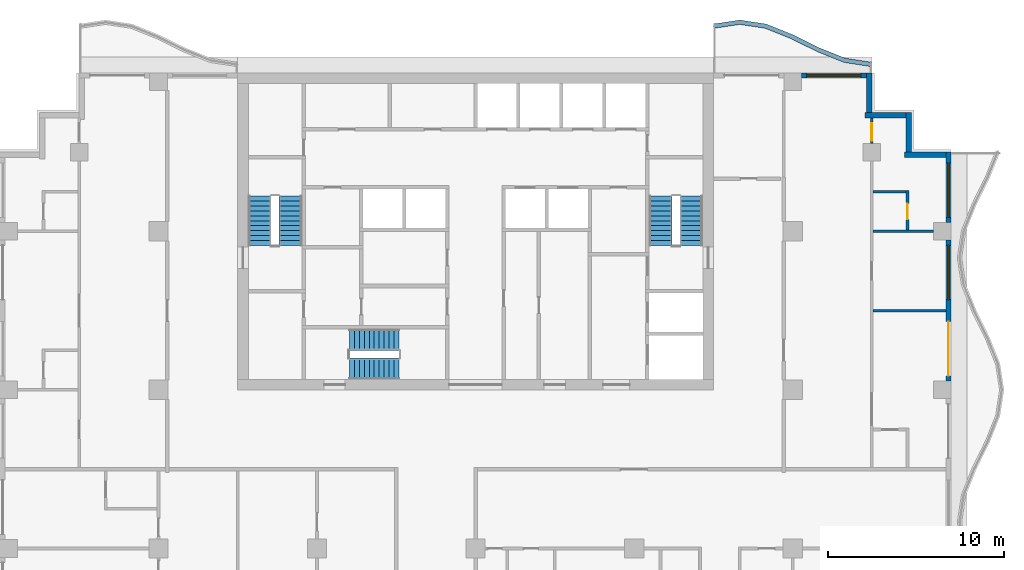
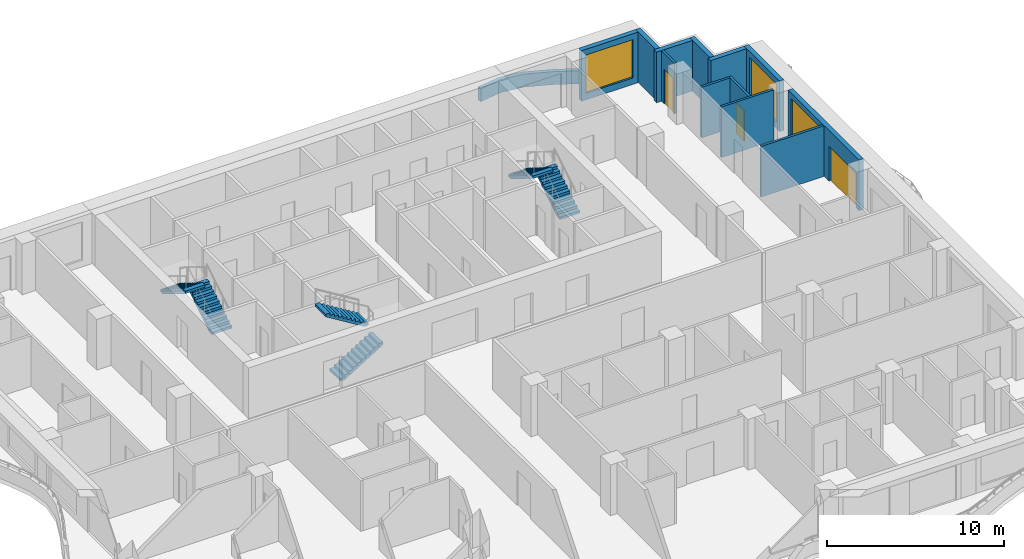
# One storey, part 7 of 12: 13 walls, 6 stair flights, 3 doors, 3 windows, 6 openings, 3 elements without a shape of their own.
"""IFC4 building model written with IfcOpenShell, lengths in metres."""

from ifc_helpers import new_model, si_unit, direction, frame, frame_2d, origin, place, context, subcontext, project, spatial, polyline, rectangle, outline, extrude, material, layer, layer_set, type_object, element, fill, aggregate, save


model = new_model("IFC4")

# Units and contexts
model_context = context("Model", 3, precision=1e-05, world=origin(), true_north=direction((0.0, 1.0)))
body_context = subcontext(model_context, "Body", "Model", "MODEL_VIEW")
ifc_project = project(units=[si_unit("LENGTHUNIT", "METRE"), si_unit("AREAUNIT", "SQUARE_METRE"), si_unit("VOLUMEUNIT", "CUBIC_METRE"), si_unit("PLANEANGLEUNIT", "RADIAN"), si_unit("MASSUNIT", "GRAM", prefix="KILO")], contexts=[model_context])

# Site, building, storey
site_placement = place(None, origin())
site = spatial("IfcSite", under=ifc_project, at=site_placement, CompositionType="ELEMENT")
building_placement = place(site_placement, origin())
building = spatial("IfcBuilding", under=site, at=building_placement, Name="Orbiselva Terraces", CompositionType="ELEMENT")
storey_placement = place(building_placement, frame((0.0, 0.0, 203.4)))
storey = spatial("IfcBuildingStorey", under=building, at=storey_placement, Name="L51", CompositionType="ELEMENT", Elevation=203.4)

# Wall
ifc_material_1 = material(Name="Concrete C40/50", Category="concrete")
ifc_layer_1 = layer(ifc_material_1, 0.25)
ifc_layer_set_1 = layer_set([ifc_layer_1], Name="Concrete C40/50")
wall_type_1 = type_object("IfcWallType", Name="ENV-PLANTER-250x900", PredefinedType="USERDEFINED", material=ifc_layer_set_1)
wall_1_placement = place(storey_placement, origin())
element("IfcWall", 1, at=wall_1_placement, inside=storey, type_object=wall_type_1, Name="Balcony planter L51 NE", ObjectType="PLANTER", PredefinedType="USERDEFINED", context=body_context, shape_type="SweptSolid", body=[
    extrude(outline(polyline([(22.5, 23.1), (21.0, 23.32918), (19.5, 23.92918), (18.0, 24.67082), (16.5, 25.27082), (15.0, 25.5), (13.5, 25.27082), (13.537758, 25.023688), (15.0, 25.247099), (16.433834, 25.028028), (17.898017, 24.442355), (19.398017, 23.700715), (20.933834, 23.086388), (22.462242, 22.852868), (22.5, 23.1)])), origin(), (0.0, 0.0, 1.0), 0.9),
])

# Wall, openings, door, window
ifc_material_2 = material(Name="Terracotta cladding on masonry backing", Category="masonry")
ifc_layer_2 = layer(ifc_material_2, 0.3)
ifc_layer_set_2 = layer_set([ifc_layer_2], Name="Terracotta cladding on masonry backing")
wall_type_2 = type_object("IfcWallType", Name="ENV-WALL-TERRACOTTA-300", PredefinedType="SOLIDWALL", material=ifc_layer_set_2)
wall_2_placement = place(storey_placement, frame((26.85, 13.0, 0.0), z_axis=(0.0, 0.0, 1.0), x_axis=(0.0, -1.0, 0.0)))
wall_2 = element("IfcWall", 2, at=wall_2_placement, inside=storey, type_object=wall_type_2, Name="Facade wall L51 E", PredefinedType="SOLIDWALL", context=body_context, shape_type="SweptSolid", body=[
    extrude(rectangle(XDim=8.0, YDim=0.3, at=frame_2d((4.0, 0.0))), origin(), (0.0, 0.0, 1.0), 3.5),
])
opening_1_placement = place(wall_2_placement, frame((4.625, 0.0, 0.0)))
opening_1 = element("IfcOpeningElement", 3, at=opening_1_placement, cuts=wall_2, Name="Opening Z4-B-E16", PredefinedType="OPENING", context=body_context, shape_type="SweptSolid", body=[
    extrude(rectangle(XDim=3.075, YDim=2.4, at=frame_2d((1.5375, 1.2))), frame((0.0, 0.16, 0.0), z_axis=(0.0, -1.0, 0.0), x_axis=(1.0, 0.0, 0.0)), (0.0, 0.0, 1.0), 0.32),
])
opening_2_placement = place(wall_2_placement, frame((0.3, 0.0, 0.45)))
opening_2 = element("IfcOpeningElement", 4, at=opening_2_placement, cuts=wall_2, Name="Opening WN15", PredefinedType="OPENING", context=body_context, shape_type="SweptSolid", body=[
    extrude(rectangle(XDim=3.075, YDim=2.65, at=frame_2d((1.5375, 1.325))), frame((0.0, 0.16, 0.0), z_axis=(0.0, -1.0, 0.0), x_axis=(1.0, 0.0, 0.0)), (0.0, 0.0, 1.0), 0.32),
])
ifc_material_3 = material(Name="Clear low-e glazing in aluminium frame", Category="aluminium")
door_type_1 = type_object("IfcDoorType", Name="BALCONY DOOR 3075 X 2400", OperationType="DOUBLE_DOOR_SLIDING", PredefinedType="DOOR", material=ifc_material_3)
door_1_placement = place(opening_1_placement, origin())
door_1 = element("IfcDoor", 5, at=door_1_placement, inside=storey, type_object=door_type_1, Name="Z4-B-E16", OperationType="SINGLE_SWING_LEFT", OverallHeight=2.4, OverallWidth=3.075, PredefinedType="DOOR", context=body_context, shape_type="SweptSolid", body=[
    extrude(rectangle(XDim=3.075, YDim=2.4, at=frame_2d((1.5375, 1.2))), frame((0.0, 0.025, 0.0), z_axis=(0.0, -1.0, 0.0), x_axis=(1.0, 0.0, 0.0)), (0.0, 0.0, 1.0), 0.05),
])
fill(opening_1, door_1)
window_type = type_object("IfcWindowType", Name="WINDOW 3075 X 2650 S450", PartitioningType="TRIPLE_PANEL_VERTICAL", PredefinedType="WINDOW", material=ifc_material_3)
window_1_placement = place(opening_2_placement, origin())
window_1 = element("IfcWindow", 6, at=window_1_placement, inside=storey, type_object=window_type, Name="Window L51 E", OverallHeight=2.65, OverallWidth=3.075, PartitioningType="SINGLE_PANEL", PredefinedType="WINDOW", context=body_context, shape_type="SweptSolid", body=[
    extrude(rectangle(XDim=3.075, YDim=2.65, at=frame_2d((1.5375, 1.325))), frame((0.0, 0.03, 0.0), z_axis=(0.0, -1.0, 0.0), x_axis=(1.0, 0.0, 0.0)), (0.0, 0.0, 1.0), 0.06),
])
fill(opening_2, window_1)

# Wall, opening, window
wall_3_placement = place(storey_placement, frame((26.85, 18.0, 0.0), z_axis=(0.0, 0.0, 1.0), x_axis=(0.0, -1.0, 0.0)))
wall_3 = element("IfcWall", 7, at=wall_3_placement, inside=storey, type_object=wall_type_2, Name="Facade wall L51 E", PredefinedType="SOLIDWALL", context=body_context, shape_type="SweptSolid", body=[
    extrude(rectangle(XDim=4.0, YDim=0.3, at=frame_2d((2.0, 0.0))), origin(), (0.0, 0.0, 1.0), 3.5),
])
opening_3_placement = place(wall_3_placement, frame((0.625, 0.0, 0.45)))
opening_3 = element("IfcOpeningElement", 8, at=opening_3_placement, cuts=wall_3, Name="Opening WN15", PredefinedType="OPENING", context=body_context, shape_type="SweptSolid", body=[
    extrude(rectangle(XDim=3.075, YDim=2.65, at=frame_2d((1.5375, 1.325))), frame((0.0, 0.16, 0.0), z_axis=(0.0, -1.0, 0.0), x_axis=(1.0, 0.0, 0.0)), (0.0, 0.0, 1.0), 0.32),
])
window_2_placement = place(opening_3_placement, origin())
window_2 = element("IfcWindow", 9, at=window_2_placement, inside=storey, type_object=window_type, Name="Window L51 E", OverallHeight=2.65, OverallWidth=3.075, PartitioningType="SINGLE_PANEL", PredefinedType="WINDOW", context=body_context, shape_type="SweptSolid", body=[
    extrude(rectangle(XDim=3.075, YDim=2.65, at=frame_2d((1.5375, 1.325))), frame((0.0, 0.03, 0.0), z_axis=(0.0, -1.0, 0.0), x_axis=(1.0, 0.0, 0.0)), (0.0, 0.0, 1.0), 0.06),
])
fill(opening_3, window_2)

# Walls
wall_4_placement = place(storey_placement, frame((24.35, 17.85, 0.0), z_axis=(0.0, 0.0, 1.0), x_axis=(1.0, 0.0, 0.0)))
element("IfcWall", 10, at=wall_4_placement, inside=storey, type_object=wall_type_2, Name="Facade wall L51 STEP", PredefinedType="SOLIDWALL", context=body_context, shape_type="SweptSolid", body=[
    extrude(rectangle(XDim=2.35, YDim=0.3, at=frame_2d((1.175, 0.0))), origin(), (0.0, 0.0, 1.0), 3.5),
])
wall_5_placement = place(storey_placement, frame((24.6, 20.25, 0.0), z_axis=(0.0, 0.0, 1.0), x_axis=(0.0, -1.0, 0.0)))
element("IfcWall", 11, at=wall_5_placement, inside=storey, type_object=wall_type_2, Name="Facade wall L51 STEP", PredefinedType="SOLIDWALL", context=body_context, shape_type="SweptSolid", body=[
    extrude(rectangle(XDim=2.25, YDim=0.3, at=frame_2d((1.125, 0.0))), origin(), (0.0, 0.0, 1.0), 3.5),
])
wall_6_placement = place(storey_placement, frame((22.1, 20.1, 0.0), z_axis=(0.0, 0.0, 1.0), x_axis=(1.0, 0.0, 0.0)))
element("IfcWall", 12, at=wall_6_placement, inside=storey, type_object=wall_type_2, Name="Facade wall L51 STEP", PredefinedType="SOLIDWALL", context=body_context, shape_type="SweptSolid", body=[
    extrude(rectangle(XDim=2.35, YDim=0.3, at=frame_2d((1.175, 0.0))), origin(), (0.0, 0.0, 1.0), 3.5),
])
wall_7_placement = place(storey_placement, frame((22.35, 22.5, 0.0), z_axis=(0.0, 0.0, 1.0), x_axis=(0.0, -1.0, 0.0)))
element("IfcWall", 13, at=wall_7_placement, inside=storey, type_object=wall_type_2, Name="Facade wall L51 STEP", PredefinedType="SOLIDWALL", context=body_context, shape_type="SweptSolid", body=[
    extrude(rectangle(XDim=2.25, YDim=0.3, at=frame_2d((1.125, 0.0))), origin(), (0.0, 0.0, 1.0), 3.5),
])

# Wall, opening, window
wall_8_placement = place(storey_placement, frame((18.5, 22.35, 0.0), z_axis=(0.0, 0.0, 1.0), x_axis=(1.0, 0.0, 0.0)))
wall_8 = element("IfcWall", 14, at=wall_8_placement, inside=storey, type_object=wall_type_2, Name="Facade wall L51 NE", PredefinedType="SOLIDWALL", context=body_context, shape_type="SweptSolid", body=[
    extrude(rectangle(XDim=3.7, YDim=0.3, at=frame_2d((1.85, 0.0))), origin(), (0.0, 0.0, 1.0), 3.5),
])
opening_4_placement = place(wall_8_placement, frame((0.3, 0.0, 0.45)))
opening_4 = element("IfcOpeningElement", 15, at=opening_4_placement, cuts=wall_8, Name="Opening WN15", PredefinedType="OPENING", context=body_context, shape_type="SweptSolid", body=[
    extrude(rectangle(XDim=3.075, YDim=2.65, at=frame_2d((1.5375, 1.325))), frame((0.0, 0.16, 0.0), z_axis=(0.0, -1.0, 0.0), x_axis=(1.0, 0.0, 0.0)), (0.0, 0.0, 1.0), 0.32),
])
window_3_placement = place(opening_4_placement, origin())
window_3 = element("IfcWindow", 16, at=window_3_placement, inside=storey, type_object=window_type, Name="Window L51 NE", OverallHeight=2.65, OverallWidth=3.075, PartitioningType="SINGLE_PANEL", PredefinedType="WINDOW", context=body_context, shape_type="SweptSolid", body=[
    extrude(rectangle(XDim=3.075, YDim=2.65, at=frame_2d((1.5375, 1.325))), frame((0.0, 0.03, 0.0), z_axis=(0.0, -1.0, 0.0), x_axis=(1.0, 0.0, 0.0)), (0.0, 0.0, 1.0), 0.06),
])
fill(opening_4, window_3)

# Walls
ifc_material_4 = material(Name="Plasterboard on steel stud partition", Category="steel")
ifc_layer_3 = layer(ifc_material_4, 0.15)
ifc_layer_set_3 = layer_set([ifc_layer_3], Name="Plasterboard on steel stud partition")
wall_type_3 = type_object("IfcWallType", Name="UNIT-PARTITION-150", PredefinedType="PARTITIONING", material=ifc_layer_set_3)
wall_9_placement = place(storey_placement, frame((22.575, 9.0, 0.0), z_axis=(0.0, 0.0, 1.0), x_axis=(1.0, 0.0, 0.0)))
element("IfcWall", 17, at=wall_9_placement, inside=storey, type_object=wall_type_3, Name="PARTITION L51-036", PredefinedType="PARTITIONING", context=body_context, shape_type="SweptSolid", body=[
    extrude(rectangle(XDim=4.125, YDim=0.15, at=frame_2d((2.0625, 0.0))), origin(), (0.0, 0.0, 1.0), 3.5),
])
wall_10_placement = place(storey_placement, frame((22.575, 13.5, 0.0), z_axis=(0.0, 0.0, 1.0), x_axis=(1.0, 0.0, 0.0)))
element("IfcWall", 18, at=wall_10_placement, inside=storey, type_object=wall_type_3, Name="PARTITION L51-038", PredefinedType="PARTITIONING", context=body_context, shape_type="SweptSolid", body=[
    extrude(rectangle(XDim=3.425, YDim=0.15, at=frame_2d((1.7125, 0.0))), origin(), (0.0, 0.0, 1.0), 3.5),
])
wall_11_placement = place(storey_placement, frame((22.575, 15.75, 0.0), z_axis=(0.0, 0.0, 1.0), x_axis=(1.0, 0.0, 0.0)))
element("IfcWall", 19, at=wall_11_placement, inside=storey, type_object=wall_type_3, Name="PARTITION L51-040", PredefinedType="PARTITIONING", context=body_context, shape_type="SweptSolid", body=[
    extrude(rectangle(XDim=1.875, YDim=0.15, at=frame_2d((0.9375, 0.0))), origin(), (0.0, 0.0, 1.0), 3.5),
])

# Wall, opening, door
wall_12_placement = place(storey_placement, frame((22.5, 19.95, 0.0), z_axis=(0.0, 0.0, 1.0), x_axis=(0.0, -1.0, 0.0)))
wall_12 = element("IfcWall", 20, at=wall_12_placement, inside=storey, type_object=wall_type_3, Name="PARTITION L51-085", PredefinedType="PARTITIONING", context=body_context, shape_type="SweptSolid", body=[
    extrude(rectangle(XDim=1.45, YDim=0.15, at=frame_2d((0.725, 0.0))), origin(), (0.0, 0.0, 1.0), 3.5),
])
opening_5_placement = place(wall_12_placement, frame((0.3, 0.0, 0.0)))
opening_5 = element("IfcOpeningElement", 21, at=opening_5_placement, cuts=wall_12, Name="Opening Z4-B-12", PredefinedType="OPENING", context=body_context, shape_type="SweptSolid", body=[
    extrude(rectangle(XDim=1.0, YDim=2.4, at=frame_2d((0.5, 1.2))), frame((0.0, 0.085, 0.0), z_axis=(0.0, -1.0, 0.0), x_axis=(1.0, 0.0, 0.0)), (0.0, 0.0, 1.0), 0.17),
])
ifc_material_5 = material(Name="Painted timber door leaf", Category="wood")
door_type_2 = type_object("IfcDoorType", Name="ROOM DOOR 1000", OperationType="NOTDEFINED", PredefinedType="DOOR", material=ifc_material_5)
door_2_placement = place(opening_5_placement, origin())
door_2 = element("IfcDoor", 22, at=door_2_placement, inside=storey, type_object=door_type_2, Name="Z4-B-12", OperationType="SINGLE_SWING_RIGHT", OverallHeight=2.4, OverallWidth=1.0, PredefinedType="DOOR", context=body_context, shape_type="SweptSolid", body=[
    extrude(rectangle(XDim=1.0, YDim=2.4, at=frame_2d((0.5, 1.2))), frame((0.0, 0.025, 0.0), z_axis=(0.0, -1.0, 0.0), x_axis=(1.0, 0.0, 0.0)), (0.0, 0.0, 1.0), 0.05),
])
fill(opening_5, door_2)

wall_13_placement = place(storey_placement, frame((24.525, 13.575, 0.0), z_axis=(0.0, 0.0, 1.0), x_axis=(0.0, 1.0, 0.0)))
wall_13 = element("IfcWall", 23, at=wall_13_placement, inside=storey, type_object=wall_type_3, Name="PARTITION L51-088", PredefinedType="PARTITIONING", context=body_context, shape_type="SweptSolid", body=[
    extrude(rectangle(XDim=2.25, YDim=0.15, at=frame_2d((1.125, 0.0))), origin(), (0.0, 0.0, 1.0), 3.5),
])
opening_6_placement = place(wall_13_placement, frame((0.6, 0.0, 0.0)))
opening_6 = element("IfcOpeningElement", 24, at=opening_6_placement, cuts=wall_13, Name="Opening Z4-B-13", PredefinedType="OPENING", context=body_context, shape_type="SweptSolid", body=[
    extrude(rectangle(XDim=0.9, YDim=2.1, at=frame_2d((0.45, 1.05))), frame((0.0, 0.085, 0.0), z_axis=(0.0, -1.0, 0.0), x_axis=(1.0, 0.0, 0.0)), (0.0, 0.0, 1.0), 0.17),
])
door_type_3 = type_object("IfcDoorType", Name="BATH DOOR 900", OperationType="NOTDEFINED", PredefinedType="DOOR", material=ifc_material_5)
door_3_placement = place(opening_6_placement, origin())
door_3 = element("IfcDoor", 25, at=door_3_placement, inside=storey, type_object=door_type_3, Name="Z4-B-13", OperationType="SINGLE_SWING_LEFT", OverallHeight=2.1, OverallWidth=0.9, PredefinedType="DOOR", context=body_context, shape_type="SweptSolid", body=[
    extrude(rectangle(XDim=0.9, YDim=2.1, at=frame_2d((0.45, 1.05))), frame((0.0, 0.025, 0.0), z_axis=(0.0, -1.0, 0.0), x_axis=(1.0, 0.0, 0.0)), (0.0, 0.0, 1.0), 0.05),
])
fill(opening_6, door_3)

# Stair, stair flights
stair_type_1 = type_object("IfcStairType", Name="CORE-STAIR-1200", PredefinedType="HALF_TURN_STAIR", material=ifc_material_1)
stair_1_placement = place(storey_placement, origin())
stair_1 = element("IfcStair", 26, at=stair_1_placement, inside=storey, type_object=stair_type_1, Name="L51 Exit Stair S3", PredefinedType="HALF_TURN_STAIR")
stair_flight_type_1 = type_object("IfcStairFlightType", Name="CORE-STAIR-FLIGHT-1200", PredefinedType="STRAIGHT", material=ifc_material_1)
stair_flight_1_placement = place(storey_placement, frame((-7.15, 5.7, 0.0), z_axis=(0.0, 0.0, 1.0), x_axis=(1.0, 0.0, 0.0)))
stair_flight_1 = element("IfcStairFlight", 27, at=stair_flight_1_placement, type_object=stair_flight_type_1, Name="S3 flight 1", NumberOfRisers=11, NumberOfTreads=10, PredefinedType="STRAIGHT", RiserHeight=0.172727273, TreadLength=0.28, context=body_context, shape_type="SweptSolid", body=[
    extrude(outline(polyline([(0.0, 0.0), (0.0, 0.172727), (0.28, 0.172727), (0.28, 0.345455), (0.56, 0.345455), (0.56, 0.518182), (0.84, 0.518182), (0.84, 0.690909), (1.12, 0.690909), (1.12, 0.863636), (1.4, 0.863636), (1.4, 1.036364), (1.68, 1.036364), (1.68, 1.209091), (1.96, 1.209091), (1.96, 1.381818), (2.24, 1.381818), (2.24, 1.554545), (2.52, 1.554545), (2.52, 1.727273), (2.8, 1.727273), (2.8, 1.9), (2.8, 1.551028), (0.285702, 0.0), (0.0, 0.0)])), frame((0.0, 0.6, 0.0), z_axis=(0.0, -1.0, 0.0), x_axis=(1.0, 0.0, 0.0)), (0.0, 0.0, 1.0), 1.2),
])
stair_flight_2_placement = place(storey_placement, frame((-4.35, 7.35, 1.9), z_axis=(0.0, 0.0, 1.0), x_axis=(-1.0, 0.0, 0.0)))
stair_flight_2 = element("IfcStairFlight", 28, at=stair_flight_2_placement, type_object=stair_flight_type_1, Name="S3 flight 2", NumberOfRisers=11, NumberOfTreads=10, PredefinedType="STRAIGHT", RiserHeight=0.172727273, TreadLength=0.28, context=body_context, shape_type="SweptSolid", body=[
    extrude(outline(polyline([(0.0, 0.0), (0.0, 0.172727), (0.28, 0.172727), (0.28, 0.345455), (0.56, 0.345455), (0.56, 0.518182), (0.84, 0.518182), (0.84, 0.690909), (1.12, 0.690909), (1.12, 0.863636), (1.4, 0.863636), (1.4, 1.036364), (1.68, 1.036364), (1.68, 1.209091), (1.96, 1.209091), (1.96, 1.381818), (2.24, 1.381818), (2.24, 1.554545), (2.52, 1.554545), (2.52, 1.727273), (2.8, 1.727273), (2.8, 1.9), (2.8, 1.551028), (0.285702, 0.0), (0.0, 0.0)])), frame((0.0, 0.6, 0.0), z_axis=(0.0, -1.0, 0.0), x_axis=(1.0, 0.0, 0.0)), (0.0, 0.0, 1.0), 1.2),
])
aggregate(stair_1, [stair_flight_1, stair_flight_2])

stair_type_2 = type_object("IfcStairType", Name="CORE-STAIR-1300", PredefinedType="HALF_TURN_STAIR", material=ifc_material_1)
stair_2_placement = place(storey_placement, origin())
stair_2 = element("IfcStair", 29, at=stair_2_placement, inside=storey, type_object=stair_type_2, Name="L51 Exit Stair S1", PredefinedType="HALF_TURN_STAIR")
stair_flight_type_2 = type_object("IfcStairFlightType", Name="CORE-STAIR-FLIGHT-1300", PredefinedType="STRAIGHT", material=ifc_material_1)
stair_flight_3_placement = place(storey_placement, frame((-10.5, 12.7, 0.0), z_axis=(0.0, 0.0, 1.0), x_axis=(0.0, 1.0, 0.0)))
stair_flight_3 = element("IfcStairFlight", 30, at=stair_flight_3_placement, type_object=stair_flight_type_2, Name="S1 flight 1", NumberOfRisers=11, NumberOfTreads=10, PredefinedType="STRAIGHT", RiserHeight=0.172727273, TreadLength=0.28, context=body_context, shape_type="SweptSolid", body=[
    extrude(outline(polyline([(0.0, 0.0), (0.0, 0.172727), (0.28, 0.172727), (0.28, 0.345455), (0.56, 0.345455), (0.56, 0.518182), (0.84, 0.518182), (0.84, 0.690909), (1.12, 0.690909), (1.12, 0.863636), (1.4, 0.863636), (1.4, 1.036364), (1.68, 1.036364), (1.68, 1.209091), (1.96, 1.209091), (1.96, 1.381818), (2.24, 1.381818), (2.24, 1.554545), (2.52, 1.554545), (2.52, 1.727273), (2.8, 1.727273), (2.8, 1.9), (2.8, 1.551028), (0.285702, 0.0), (0.0, 0.0)])), frame((0.0, 0.65, 0.0), z_axis=(0.0, -1.0, 0.0), x_axis=(1.0, 0.0, 0.0)), (0.0, 0.0, 1.0), 1.3),
])
stair_flight_4_placement = place(storey_placement, frame((-12.25, 15.5, 1.9), z_axis=(0.0, 0.0, 1.0), x_axis=(0.0, -1.0, 0.0)))
stair_flight_4 = element("IfcStairFlight", 31, at=stair_flight_4_placement, type_object=stair_flight_type_2, Name="S1 flight 2", NumberOfRisers=11, NumberOfTreads=10, PredefinedType="STRAIGHT", RiserHeight=0.172727273, TreadLength=0.28, context=body_context, shape_type="SweptSolid", body=[
    extrude(outline(polyline([(0.0, 0.0), (0.0, 0.172727), (0.28, 0.172727), (0.28, 0.345455), (0.56, 0.345455), (0.56, 0.518182), (0.84, 0.518182), (0.84, 0.690909), (1.12, 0.690909), (1.12, 0.863636), (1.4, 0.863636), (1.4, 1.036364), (1.68, 1.036364), (1.68, 1.209091), (1.96, 1.209091), (1.96, 1.381818), (2.24, 1.381818), (2.24, 1.554545), (2.52, 1.554545), (2.52, 1.727273), (2.8, 1.727273), (2.8, 1.9), (2.8, 1.551028), (0.285702, 0.0), (0.0, 0.0)])), frame((0.0, 0.65, 0.0), z_axis=(0.0, -1.0, 0.0), x_axis=(1.0, 0.0, 0.0)), (0.0, 0.0, 1.0), 1.3),
])
aggregate(stair_2, [stair_flight_3, stair_flight_4])

stair_3_placement = place(storey_placement, origin())
stair_3 = element("IfcStair", 32, at=stair_3_placement, inside=storey, type_object=stair_type_2, Name="L51 Exit Stair S2", PredefinedType="HALF_TURN_STAIR")
stair_flight_5_placement = place(storey_placement, frame((12.25, 12.7, 0.0), z_axis=(0.0, 0.0, 1.0), x_axis=(0.0, 1.0, 0.0)))
stair_flight_5 = element("IfcStairFlight", 33, at=stair_flight_5_placement, type_object=stair_flight_type_2, Name="S2 flight 1", NumberOfRisers=11, NumberOfTreads=10, PredefinedType="STRAIGHT", RiserHeight=0.172727273, TreadLength=0.28, context=body_context, shape_type="SweptSolid", body=[
    extrude(outline(polyline([(0.0, 0.0), (0.0, 0.172727), (0.28, 0.172727), (0.28, 0.345455), (0.56, 0.345455), (0.56, 0.518182), (0.84, 0.518182), (0.84, 0.690909), (1.12, 0.690909), (1.12, 0.863636), (1.4, 0.863636), (1.4, 1.036364), (1.68, 1.036364), (1.68, 1.209091), (1.96, 1.209091), (1.96, 1.381818), (2.24, 1.381818), (2.24, 1.554545), (2.52, 1.554545), (2.52, 1.727273), (2.8, 1.727273), (2.8, 1.9), (2.8, 1.551028), (0.285702, 0.0), (0.0, 0.0)])), frame((0.0, 0.65, 0.0), z_axis=(0.0, -1.0, 0.0), x_axis=(1.0, 0.0, 0.0)), (0.0, 0.0, 1.0), 1.3),
])
stair_flight_6_placement = place(storey_placement, frame((10.5, 15.5, 1.9), z_axis=(0.0, 0.0, 1.0), x_axis=(0.0, -1.0, 0.0)))
stair_flight_6 = element("IfcStairFlight", 34, at=stair_flight_6_placement, type_object=stair_flight_type_2, Name="S2 flight 2", NumberOfRisers=11, NumberOfTreads=10, PredefinedType="STRAIGHT", RiserHeight=0.172727273, TreadLength=0.28, context=body_context, shape_type="SweptSolid", body=[
    extrude(outline(polyline([(0.0, 0.0), (0.0, 0.172727), (0.28, 0.172727), (0.28, 0.345455), (0.56, 0.345455), (0.56, 0.518182), (0.84, 0.518182), (0.84, 0.690909), (1.12, 0.690909), (1.12, 0.863636), (1.4, 0.863636), (1.4, 1.036364), (1.68, 1.036364), (1.68, 1.209091), (1.96, 1.209091), (1.96, 1.381818), (2.24, 1.381818), (2.24, 1.554545), (2.52, 1.554545), (2.52, 1.727273), (2.8, 1.727273), (2.8, 1.9), (2.8, 1.551028), (0.285702, 0.0), (0.0, 0.0)])), frame((0.0, 0.65, 0.0), z_axis=(0.0, -1.0, 0.0), x_axis=(1.0, 0.0, 0.0)), (0.0, 0.0, 1.0), 1.3),
])
aggregate(stair_3, [stair_flight_5, stair_flight_6])

save(model, "model.ifc")
